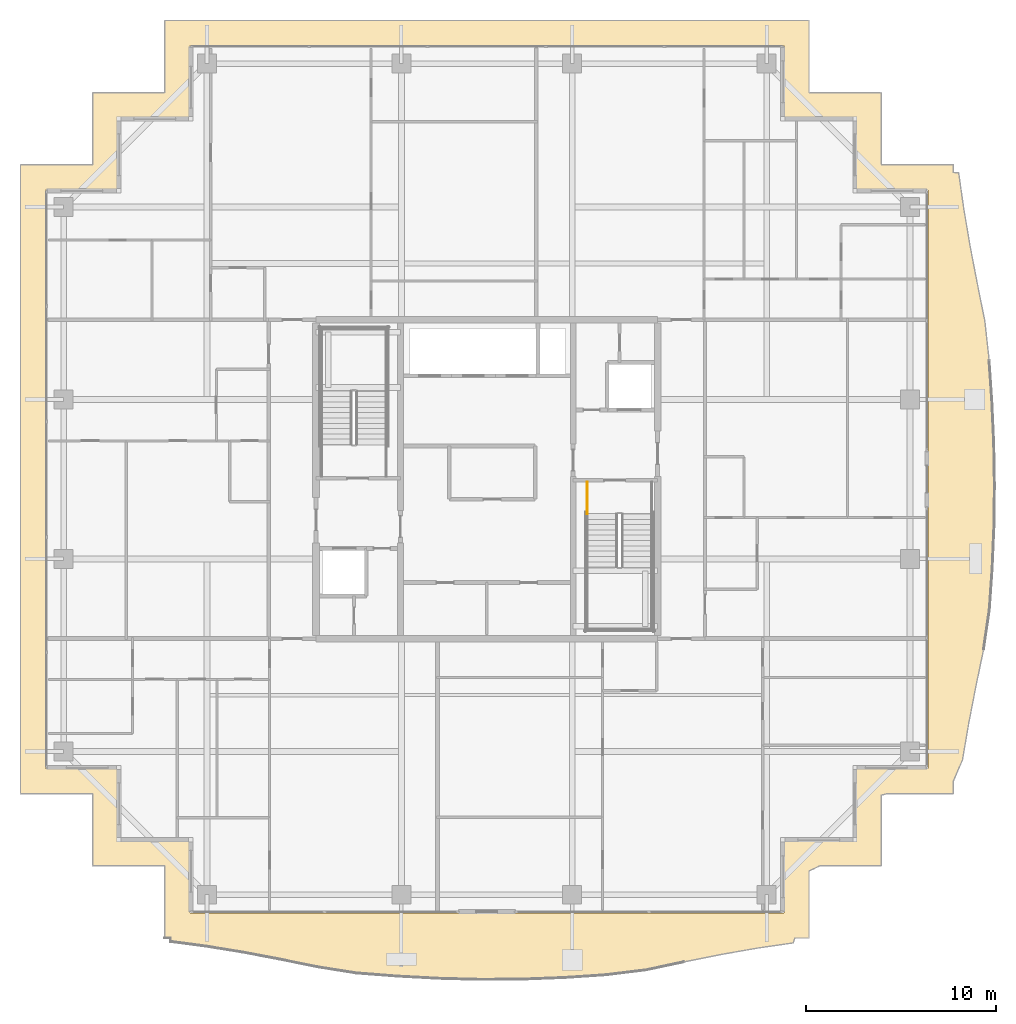
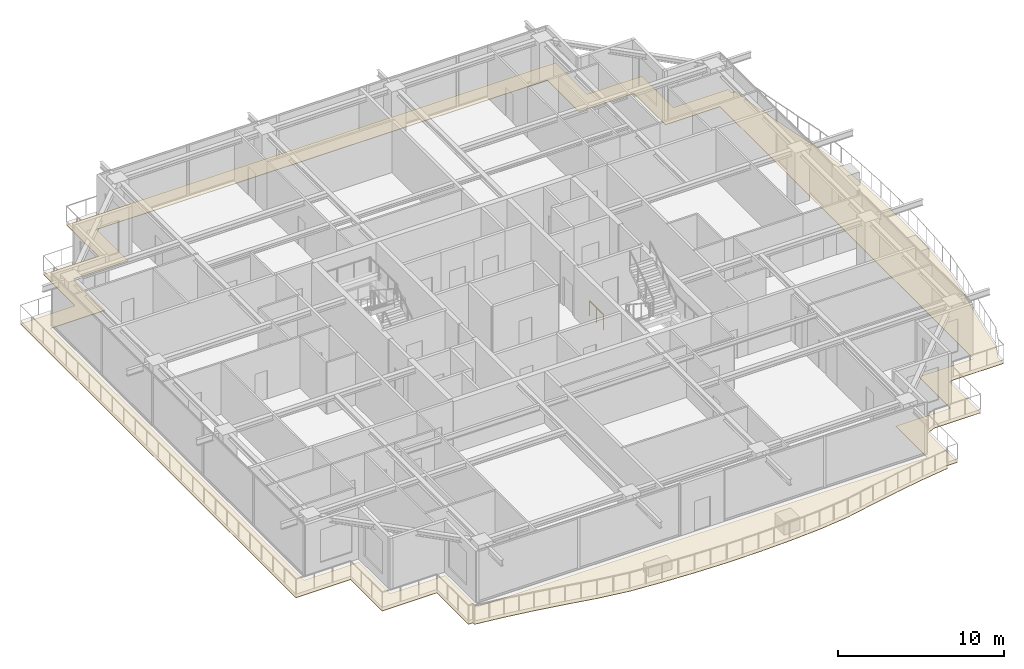
# One storey, part 40 of 42: 1 covering, 1 railing.
"""IFC4 building model written with IfcOpenShell, lengths in metres."""

import ifcopenshell
import ifcopenshell.guid

model = None  # the IFC model being written
_history = None  # IfcOwnerHistory: only IFC2X3 demands one
_inside = {}  # id of a spatial element -> (the spatial element, [elements in it])
_under = {}  # id of a project, library or spatial element -> (it, [spatial elements below it])
_declared = {}  # id of a project -> (the project, [libraries it declares])
_typed = {}  # id of a type object -> (the type object, [elements of that type])
_made_of = {}  # id of a material, layer set ... -> (it, [elements and type objects made of it])


def new_model(schema):
    """Start an empty IFC model of exactly this schema.

    Asked for "IFC4X3", IfcOpenShell would pick the latest addendum, in which some entities
    have other attributes; the version numbers below select the first issue.
    IFC2X3 requires an IfcOwnerHistory on every rooted entity: one is made here for all.
    """
    global model, _history
    if schema == "IFC4X3":
        model = ifcopenshell.file(schema_version=(4, 3, 0, 0))
    else:
        model = ifcopenshell.file(schema=schema)
    _inside.clear()
    _under.clear()
    _declared.clear()
    _typed.clear()
    _made_of.clear()
    _history = None
    if model.schema == "IFC2X3":
        org = make("IfcOrganization", Name="unknown")
        user = make(
            "IfcPersonAndOrganization",
            ThePerson=make("IfcPerson", FamilyName="unknown"),
            TheOrganization=org,
        )
        app = make(
            "IfcApplication",
            ApplicationDeveloper=org,
            Version="unknown",
            ApplicationFullName="unknown",
            ApplicationIdentifier="unknown",
        )
        _history = make(
            "IfcOwnerHistory",
            OwningUser=user,
            OwningApplication=app,
            ChangeAction="ADDED",
            CreationDate=0,
        )
    return model


def make(cls, **values):
    """One entity of the class cls with the attributes given. An attribute that is None is left unset."""
    return model.create_entity(
        cls, **{name: value for name, value in values.items() if value is not None}
    )


def rooted(cls, **values):
    """An entity with a GlobalId (a new one), such as an element, a storey or a relation."""
    return make(cls, GlobalId=ifcopenshell.guid.new(), OwnerHistory=_history, **values)


def si_unit(unit_type, name, prefix=None):
    """IfcSIUnit, for example si_unit("LENGTHUNIT", "METRE", prefix="MILLI")."""
    return make("IfcSIUnit", UnitType=unit_type, Prefix=prefix, Name=name)


def assignment(units):
    """IfcUnitAssignment: the units of a project."""
    return None if units is None else make("IfcUnitAssignment", Units=units)


def point(xyz):
    """IfcCartesianPoint."""
    return None if xyz is None else make("IfcCartesianPoint", Coordinates=xyz)


def direction(xyz):
    """IfcDirection."""
    return None if xyz is None else make("IfcDirection", DirectionRatios=xyz)


def frame(location, z_axis=None, x_axis=None):
    """IfcAxis2Placement3D, a coordinate frame: its origin and axes. An axis left out is left unset."""
    return make(
        "IfcAxis2Placement3D",
        Location=point(location),
        Axis=direction(z_axis),
        RefDirection=direction(x_axis),
    )


def frame_2d(location, x_axis=None):
    """IfcAxis2Placement2D, a coordinate frame in the plane: its origin and x axis."""
    return make(
        "IfcAxis2Placement2D", Location=point(location), RefDirection=direction(x_axis)
    )


def origin():
    """The frame at (0, 0, 0) with its axes left unset."""
    return frame((0.0, 0.0, 0.0))


def origin_2d():
    """The frame at (0, 0) in the plane with its x axis left unset."""
    return frame_2d((0.0, 0.0))


def place(relative_to, where):
    """IfcLocalPlacement: puts the frame where relative to a parent placement (None: the world)."""
    return make(
        "IfcLocalPlacement", PlacementRelTo=relative_to, RelativePlacement=where
    )


def context(
    kind, dimensions, precision=None, world=None, true_north=None, identifier=None
):
    """IfcGeometricRepresentationContext, for example the 3D "Model" context."""
    return make(
        "IfcGeometricRepresentationContext",
        ContextIdentifier=identifier,
        ContextType=kind,
        CoordinateSpaceDimension=dimensions,
        Precision=precision,
        WorldCoordinateSystem=world,
        TrueNorth=true_north,
    )


def subcontext(parent, identifier, kind, view, scale=None):
    """IfcGeometricRepresentationSubContext, for example "Body" below "Model"."""
    return make(
        "IfcGeometricRepresentationSubContext",
        ContextIdentifier=identifier,
        ContextType=kind,
        ParentContext=parent,
        TargetScale=scale,
        TargetView=view,
    )


def project(units=None, contexts=None):
    """IfcProject with its units and contexts."""
    return rooted(
        "IfcProject",
        Name="project",
        RepresentationContexts=contexts,
        UnitsInContext=assignment(units),
    )


def spatial(cls, under=None, at=None, **own):
    """A site, building, storey or space (cls), placed at a placement, below another one or the project."""
    s = rooted(cls, ObjectPlacement=at, **own)
    if under is not None:
        _under.setdefault(under.id(), (under, []))[1].append(s)
    return s


def polyline(points):
    """IfcPolyline through the points."""
    return make("IfcPolyline", Points=[point(p) for p in points])


def profile(cls, at=None, kind="AREA", **sizes):
    """A parametric profile (cls). Its sizes go by their IFC names, for example OverallWidth=200.0."""
    return make(cls, ProfileType=kind, Position=at, **sizes)


def circle(**sizes):
    """IfcCircleProfileDef."""
    return profile("IfcCircleProfileDef", **sizes)


def outline(outer, holes=None, kind="AREA"):
    """IfcArbitraryClosedProfileDef: a profile drawn as a closed curve; with holes, ...WithVoids."""
    if holes is None:
        return make("IfcArbitraryClosedProfileDef", ProfileType=kind, OuterCurve=outer)
    return make(
        "IfcArbitraryProfileDefWithVoids",
        ProfileType=kind,
        OuterCurve=outer,
        InnerCurves=holes,
    )


def extrude(swept, where, along, depth):
    """IfcExtrudedAreaSolid: the profile swept, set in the frame where, extruded along a direction by depth."""
    return make(
        "IfcExtrudedAreaSolid",
        SweptArea=swept,
        Position=where,
        ExtrudedDirection=direction(along),
        Depth=depth,
    )


def shape(context_of_items, identifier, shape_type, items):
    """IfcShapeRepresentation: the items that make up one representation, for example the "Body"."""
    return make(
        "IfcShapeRepresentation",
        ContextOfItems=context_of_items,
        RepresentationIdentifier=identifier,
        RepresentationType=shape_type,
        Items=items,
    )


def material(Name=None, Category=None):
    """IfcMaterial."""
    return make("IfcMaterial", Name=Name, Category=Category)


def layer(
    of_material, thickness, ventilated=None, Name=None, Category=None, Priority=None
):
    """IfcMaterialLayer: one layer of a wall or slab, of a material (None: an air gap)."""
    return make(
        "IfcMaterialLayer",
        Material=of_material,
        LayerThickness=thickness,
        IsVentilated=ventilated,
        Name=Name,
        Category=Category,
        Priority=Priority,
    )


def layer_set(layers, Name=None):
    """IfcMaterialLayerSet."""
    return make("IfcMaterialLayerSet", MaterialLayers=layers, LayerSetName=Name)


def made_of(thing, what):
    """Note that an element or type object is made of a material, layer set ...; save() writes the relation."""
    if what is not None:
        _made_of.setdefault(what.id(), (what, []))[1].append(thing)
    return thing


def type_object(cls, material=None, **own):
    """A type object (cls), such as IfcWallType, which elements share."""
    return made_of(rooted(cls, **own), material)


def element(
    cls,
    number,
    at=None,
    inside=None,
    cuts=None,
    type_object=None,
    material=None,
    context=None,
    identifier="Body",
    shape_type=None,
    held_by="IfcProductDefinitionShape",
    body=None,
    shapes=None,
    **own,
):
    """One element of the class cls, such as IfcWall. Its Tag is "e" and its number.

    at: its placement. inside: the storey or other place that contains it. cuts: it is an
    opening in that element (IfcRelVoidsElement). A single representation is given by context,
    identifier, shape_type and body (its items); several are given by shapes. held_by: the class
    of the entity that holds the representations. save() writes the other relations.
    """
    e = rooted(cls, Tag="e%d" % number, ObjectPlacement=at, **own)
    if body is not None:
        shapes = [shape(context, identifier, shape_type, body)]
    if shapes is not None:
        e.Representation = make(held_by, Representations=shapes)
    if inside is not None:
        _inside.setdefault(inside.id(), (inside, []))[1].append(e)
    if cuts is not None:
        rooted(
            "IfcRelVoidsElement", RelatingBuildingElement=cuts, RelatedOpeningElement=e
        )
    if type_object is not None:
        _typed.setdefault(type_object.id(), (type_object, []))[1].append(e)
    return made_of(e, material)


def aggregate(whole, parts):
    """IfcRelAggregates: a whole, such as a stair, and the parts it consists of."""
    return rooted("IfcRelAggregates", RelatingObject=whole, RelatedObjects=parts)


def save(model, path):
    """Write the relations noted so far, then the file.

    IfcRelAggregates (storeys below a building ...), IfcRelContainedInSpatialStructure (elements
    in a storey), IfcRelDefinesByType, IfcRelAssociatesMaterial and IfcRelDeclares: one each for
    every whole, place, type object, material and project.
    """
    for whole, parts in _under.values():
        aggregate(whole, parts)
    for where, things in _inside.values():
        rooted(
            "IfcRelContainedInSpatialStructure",
            RelatedElements=things,
            RelatingStructure=where,
        )
    for kind, things in _typed.values():
        rooted("IfcRelDefinesByType", RelatedObjects=things, RelatingType=kind)
    for what, things in _made_of.values():
        rooted("IfcRelAssociatesMaterial", RelatedObjects=things, RelatingMaterial=what)
    for by, libraries in _declared.values():
        rooted("IfcRelDeclares", RelatingContext=by, RelatedDefinitions=libraries)
    model.write(path)


model = new_model("IFC4")

# Units and contexts
model_context = context("Model", 3, precision=1e-05, world=origin(), true_north=direction((0.0, 1.0)))
body_context = subcontext(model_context, "Body", "Model", "MODEL_VIEW")
ifc_project = project(units=[si_unit("LENGTHUNIT", "METRE"), si_unit("AREAUNIT", "SQUARE_METRE"), si_unit("VOLUMEUNIT", "CUBIC_METRE"), si_unit("PLANEANGLEUNIT", "RADIAN"), si_unit("MASSUNIT", "GRAM", prefix="KILO")], contexts=[model_context])

# Site, building, storey
site_placement = place(None, origin())
site = spatial("IfcSite", under=ifc_project, at=site_placement, CompositionType="ELEMENT")
building_placement = place(site_placement, origin())
building = spatial("IfcBuilding", under=site, at=building_placement, Name="Serunith Strait Residences", CompositionType="ELEMENT")
storey_placement = place(building_placement, frame((0.0, 0.0, 297.5)))
storey = spatial("IfcBuildingStorey", under=building, at=storey_placement, Name="L74", CompositionType="ELEMENT", Elevation=297.5)

# Covering
ifc_material_1 = material(Name="Golden Teak Exterior Timber Boarding", Category="wood")
ifc_layer = layer(ifc_material_1, 0.034912109375, Name="Golden Teak Exterior Timber Boarding")
ifc_layer_set = layer_set([ifc_layer], Name="Golden Teak Exterior Timber Boarding")
covering_type = type_object("IfcCoveringType", Name="COV-TEAK-SOFFIT", PredefinedType="CEILING", material=ifc_layer_set)
covering_placement = place(storey_placement, frame((0.0, 0.0, -0.324951171875)))
element("IfcCovering", 1, at=covering_placement, inside=storey, type_object=covering_type, Name="L74 Golden-Teak Balcony Soffit Lining", PredefinedType="CEILING", context=body_context, shape_type="SweptSolid", body=[
    extrude(outline(polyline([(15.419921875, 1.02001953125), (15.419921875, 4.820068359375), (11.6201171875, 4.820068359375), (11.6201171875, 8.6201171875), (7.820068359375, 8.6201171875), (7.820068359375, 41.780029296875), (11.6201171875, 41.780029296875), (11.6201171875, 45.580078125), (15.407470703125, 45.580078125), (15.419921875, 45.584716796875), (15.419921875, 49.3798828125), (49.3798828125, 49.3798828125), (49.3798828125, 45.580078125), (53.179931640625, 45.580078125), (53.179931640625, 41.921142578125), (53.201171875, 41.780029296875), (56.97998046875, 41.780029296875), (56.97998046875, 41.367919921875), (57.2685546875, 41.350341796875), (57.53759765625, 39.4482421875), (57.862548828125, 37.52880859375), (58.2373046875, 35.57568359375), (58.64208984375, 33.5703125), (58.87841796875, 31.458251953125), (59.02587890625, 29.293212890625), (59.125, 27.1005859375), (59.163330078125, 24.892333984375), (59.134765625, 22.68408203125), (59.040771484375, 20.491943359375), (58.89111328125, 18.329833984375), (58.584228515625, 16.24609375), (58.17138671875, 14.25830078125), (57.794189453125, 12.3203125), (57.4716796875, 10.41259765625), (56.97998046875, 9.27587890625), (56.97998046875, 8.6201171875), (53.48193359375, 8.6201171875), (53.179931640625, 8.544677734375), (53.179931640625, 4.820068359375), (49.9423828125, 4.820068359375), (49.3798828125, 4.554931640625), (49.3798828125, 1.02001953125), (48.63330078125, 1.02001953125), (48.548583984375, 0.7626953125), (46.653076171875, 0.4873046875), (44.741455078125, 0.15087890625), (42.795654296875, -0.240478515625), (40.794677734375, -0.664794921875), (38.682861328125, -0.924560546875), (36.509521484375, -1.069580078125), (34.30712890625, -1.154296875), (32.091552734375, -1.16943359375), (29.880126953125, -1.1142578125), (27.689208984375, -0.996826171875), (25.530517578125, -0.83154296875), (23.455810546875, -0.50537109375), (21.47119140625, -0.09716796875), (19.533935546875, 0.26953125), (17.624267578125, 0.57958984375), (15.7265625, 0.831298828125), (15.72802734375, 1.02001953125), (15.419921875, 1.02001953125)]), holes=[polyline([(48.054931640625, 2.344970703125), (48.054931640625, 6.14501953125), (51.85498046875, 6.14501953125), (51.85498046875, 9.945068359375), (55.655029296875, 9.945068359375), (55.655029296875, 40.455078125), (51.85498046875, 40.455078125), (51.85498046875, 44.2548828125), (48.054931640625, 44.2548828125), (48.054931640625, 48.054931640625), (16.7451171875, 48.054931640625), (16.7451171875, 44.2548828125), (12.945068359375, 44.2548828125), (12.945068359375, 40.455078125), (9.14501953125, 40.455078125), (9.14501953125, 9.945068359375), (12.945068359375, 9.945068359375), (12.945068359375, 6.14501953125), (16.7451171875, 6.14501953125), (16.7451171875, 2.344970703125), (48.054931640625, 2.344970703125)])]), origin(), (0.0, 0.0, 1.0), 0.034912109375),
])

# Railing
ifc_material_2 = material(Name="Brushed stainless steel 316L", Category="steel")
railing_type = type_object("IfcRailingType", Name="RLG-STAIR-GUARD", PredefinedType="BALUSTRADE", material=ifc_material_2)
railing_placement = place(storey_placement, frame((37.699951171875, 25.050048828125, 0.0)))
element("IfcRailing", 2, at=railing_placement, inside=storey, type_object=railing_type, Name="L74 ST-2 stair guard 8", PredefinedType="BALUSTRADE", context=body_context, shape_type="SweptSolid", body=[
    extrude(circle(Radius=0.02392578125, at=origin_2d()), frame((0.0, -0.001953125, 1.076171875), z_axis=(0.0, -1.0, 0.0), x_axis=(1.0, 0.0, 0.0)), (0.0, 0.0, 1.0), 1.676025390625),
    extrude(circle(Radius=0.02099609375, at=origin_2d()), origin(), (0.0, 0.0, 1.0), 1.050048828125),
    extrude(circle(Radius=0.02099609375, at=origin_2d()), frame((0.0, -0.83984375, 0.0)), (0.0, 0.0, 1.0), 1.050048828125),
    extrude(circle(Radius=0.02099609375, at=origin_2d()), frame((0.0, -1.679931640625, 0.0)), (0.0, 0.0, 1.0), 1.050048828125),
])

save(model, "model.ifc")
